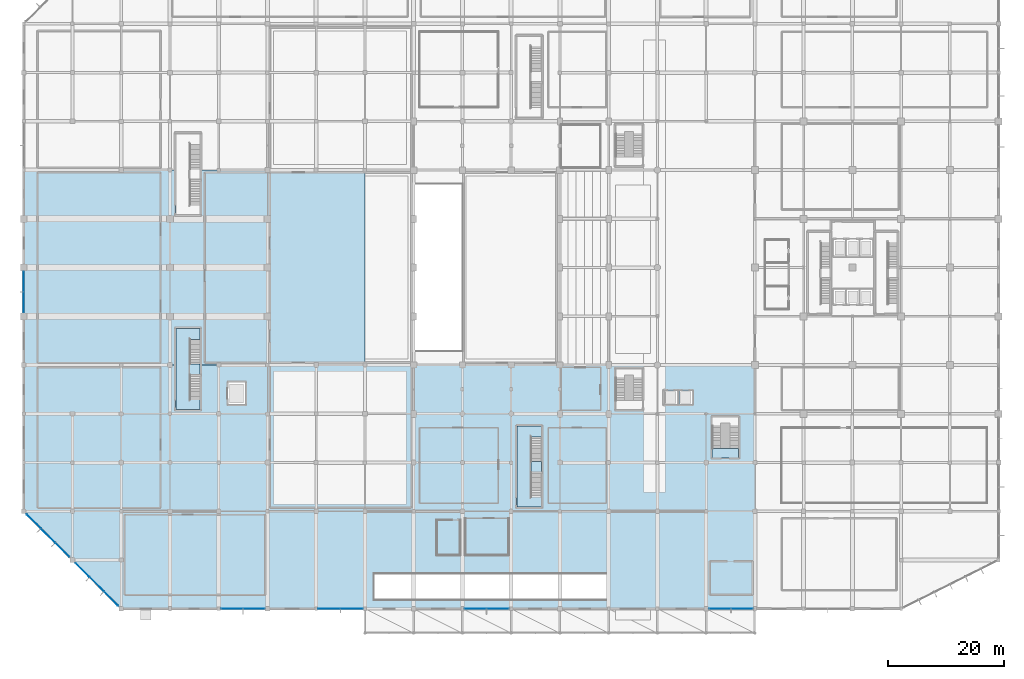
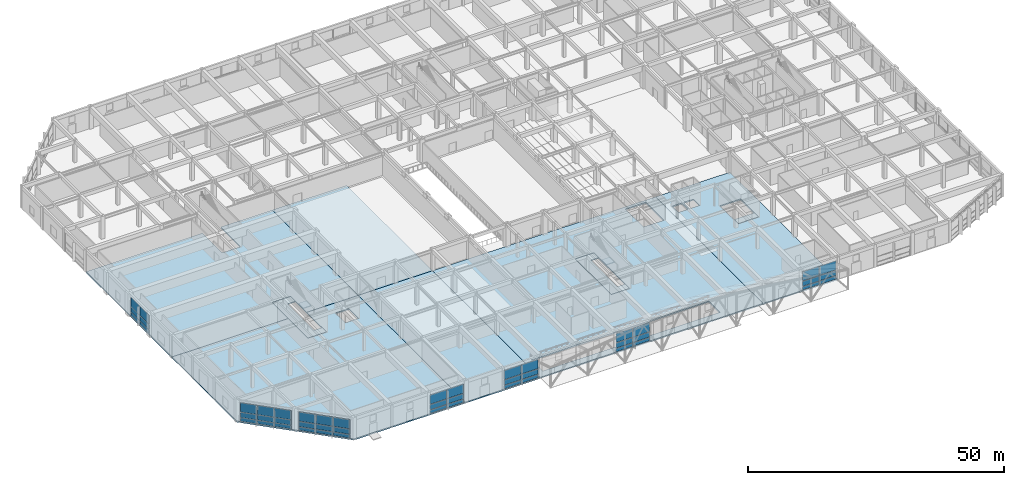
# One storey, part 37 of 62: 48 plates, 11 slabs, 10 elements without a shape of their own.
"""IFC4 building model written with IfcOpenShell, lengths in metres."""

from ifc_helpers import new_model, si_unit, direction, frame, origin, origin_2d, place, context, subcontext, project, spatial, polyline, rectangle, outline, extrude, material, layer, layer_set, type_object, element, aggregate, save


model = new_model("IFC4")

# Units and contexts
model_context = context("Model", 3, precision=1e-05, world=origin(), true_north=direction((0.0, 1.0)))
body_context = subcontext(model_context, "Body", "Model", "MODEL_VIEW")
ifc_project = project(units=[si_unit("LENGTHUNIT", "METRE"), si_unit("AREAUNIT", "SQUARE_METRE"), si_unit("VOLUMEUNIT", "CUBIC_METRE"), si_unit("PLANEANGLEUNIT", "RADIAN"), si_unit("MASSUNIT", "GRAM", prefix="KILO")], contexts=[model_context])

# Site, building, storey
site_placement = place(None, origin())
site = spatial("IfcSite", under=ifc_project, at=site_placement, CompositionType="ELEMENT")
building_placement = place(site_placement, origin())
building = spatial("IfcBuilding", under=site, at=building_placement, Name="Xuanlan Plaza Opera House", CompositionType="ELEMENT")
storey_placement = place(building_placement, origin())
storey = spatial("IfcBuildingStorey", under=building, at=storey_placement, Name="L00", CompositionType="ELEMENT", Elevation=0.0)

# Curtain wall, plates
ifc_material_1 = material(Name="Anodised Aluminium 6063-T6 and Low-E Glass", Category="aluminium")
curtain_wall_type_1 = type_object("IfcCurtainWallType", Name="ENV-CW-CW-01", PredefinedType="USERDEFINED", material=ifc_material_1)
curtain_wall_1_placement = place(storey_placement, origin())
curtain_wall_1 = element("IfcCurtainWall", 1, at=curtain_wall_1_placement, inside=storey, type_object=curtain_wall_type_1, Name="Unitised Curtain Wall L00-003", ObjectType="UNITISED CURTAIN WALL", PredefinedType="USERDEFINED")
ifc_material_2 = material(Name="Laminated Acoustic Double Glazing", Category="glass")
ifc_layer_1 = layer(ifc_material_2, 0.028076171875)
ifc_layer_set_1 = layer_set([ifc_layer_1], Name="Laminated Acoustic Double Glazing")
plate_type_1 = type_object("IfcPlateType", Name="ENV-CWP-01", PredefinedType="CURTAIN_PANEL", material=ifc_layer_set_1)
plate_1_placement = place(storey_placement, frame((35.857421875, 0.0, 0.074951171875), z_axis=(0.0, 0.0, 1.0), x_axis=(1.0, 0.0, 0.0)))
plate_1 = element("IfcPlate", 2, at=plate_1_placement, type_object=plate_type_1, Name="CW-01 panel 1.1", PredefinedType="CURTAIN_PANEL", context=body_context, shape_type="SweptSolid", body=[
    extrude(rectangle(XDim=3.695068359375, YDim=0.028076171875, at=origin_2d()), origin(), (0.0, 0.0, 1.0), 0.83740234375),
])
plate_2_placement = place(storey_placement, frame((35.857421875, 0.0, 0.987548828125), z_axis=(0.0, 0.0, 1.0), x_axis=(1.0, 0.0, 0.0)))
plate_2 = element("IfcPlate", 3, at=plate_2_placement, type_object=plate_type_1, Name="CW-01 panel 1.2", PredefinedType="CURTAIN_PANEL", context=body_context, shape_type="SweptSolid", body=[
    extrude(rectangle(XDim=3.695068359375, YDim=0.028076171875, at=origin_2d()), origin(), (0.0, 0.0, 1.0), 1.22509765625),
])
plate_3_placement = place(storey_placement, frame((35.857421875, 0.0, 2.28759765625), z_axis=(0.0, 0.0, 1.0), x_axis=(1.0, 0.0, 0.0)))
plate_3 = element("IfcPlate", 4, at=plate_3_placement, type_object=plate_type_1, Name="CW-01 panel 1.3", PredefinedType="CURTAIN_PANEL", context=body_context, shape_type="SweptSolid", body=[
    extrude(rectangle(XDim=3.695068359375, YDim=0.028076171875, at=origin_2d()), origin(), (0.0, 0.0, 1.0), 2.217529296875),
])
plate_4_placement = place(storey_placement, frame((39.642578125, 0.0, 0.074951171875), z_axis=(0.0, 0.0, 1.0), x_axis=(1.0, 0.0, 0.0)))
plate_4 = element("IfcPlate", 5, at=plate_4_placement, type_object=plate_type_1, Name="CW-01 panel 2.1", PredefinedType="CURTAIN_PANEL", context=body_context, shape_type="SweptSolid", body=[
    extrude(rectangle(XDim=3.695068359375, YDim=0.028076171875, at=origin_2d()), origin(), (0.0, 0.0, 1.0), 0.83740234375),
])
plate_5_placement = place(storey_placement, frame((39.642578125, 0.0, 0.987548828125), z_axis=(0.0, 0.0, 1.0), x_axis=(1.0, 0.0, 0.0)))
plate_5 = element("IfcPlate", 6, at=plate_5_placement, type_object=plate_type_1, Name="CW-01 panel 2.2", PredefinedType="CURTAIN_PANEL", context=body_context, shape_type="SweptSolid", body=[
    extrude(rectangle(XDim=3.695068359375, YDim=0.028076171875, at=origin_2d()), origin(), (0.0, 0.0, 1.0), 1.22509765625),
])
plate_6_placement = place(storey_placement, frame((39.642578125, 0.0, 2.28759765625), z_axis=(0.0, 0.0, 1.0), x_axis=(1.0, 0.0, 0.0)))
plate_6 = element("IfcPlate", 7, at=plate_6_placement, type_object=plate_type_1, Name="CW-01 panel 2.3", PredefinedType="CURTAIN_PANEL", context=body_context, shape_type="SweptSolid", body=[
    extrude(rectangle(XDim=3.695068359375, YDim=0.028076171875, at=origin_2d()), origin(), (0.0, 0.0, 1.0), 2.217529296875),
])
aggregate(curtain_wall_1, [plate_1, plate_2, plate_3, plate_4, plate_5, plate_6])

curtain_wall_type_2 = type_object("IfcCurtainWallType", Name="ENV-CW-CW-05", PredefinedType="USERDEFINED", material=ifc_material_1)
curtain_wall_2_placement = place(storey_placement, origin())
curtain_wall_2 = element("IfcCurtainWall", 8, at=curtain_wall_2_placement, inside=storey, type_object=curtain_wall_type_2, Name="Acoustic Glazed Wall L00-008", ObjectType="ACOUSTIC GLAZED WALL", PredefinedType="USERDEFINED")
plate_7_placement = place(storey_placement, frame((77.844970703125, 0.0, 0.074951171875), z_axis=(0.0, 0.0, 1.0), x_axis=(1.0, 0.0, 0.0)))
plate_7 = element("IfcPlate", 9, at=plate_7_placement, type_object=plate_type_1, Name="CW-05 panel 1.1", PredefinedType="CURTAIN_PANEL", context=body_context, shape_type="SweptSolid", body=[
    extrude(rectangle(XDim=3.77001953125, YDim=0.028076171875, at=origin_2d()), origin(), (0.0, 0.0, 1.0), 0.83740234375),
])
plate_8_placement = place(storey_placement, frame((77.844970703125, 0.0, 0.987548828125), z_axis=(0.0, 0.0, 1.0), x_axis=(1.0, 0.0, 0.0)))
plate_8 = element("IfcPlate", 10, at=plate_8_placement, type_object=plate_type_1, Name="CW-05 panel 1.2", PredefinedType="CURTAIN_PANEL", context=body_context, shape_type="SweptSolid", body=[
    extrude(rectangle(XDim=3.77001953125, YDim=0.028076171875, at=origin_2d()), origin(), (0.0, 0.0, 1.0), 1.22509765625),
])
plate_9_placement = place(storey_placement, frame((77.844970703125, 0.0, 2.28759765625), z_axis=(0.0, 0.0, 1.0), x_axis=(1.0, 0.0, 0.0)))
plate_9 = element("IfcPlate", 11, at=plate_9_placement, type_object=plate_type_1, Name="CW-05 panel 1.3", PredefinedType="CURTAIN_PANEL", context=body_context, shape_type="SweptSolid", body=[
    extrude(rectangle(XDim=3.77001953125, YDim=0.028076171875, at=origin_2d()), origin(), (0.0, 0.0, 1.0), 2.217529296875),
])
plate_10_placement = place(storey_placement, frame((81.705078125, 0.0, 0.074951171875), z_axis=(0.0, 0.0, 1.0), x_axis=(1.0, 0.0, 0.0)))
plate_10 = element("IfcPlate", 12, at=plate_10_placement, type_object=plate_type_1, Name="CW-05 panel 2.1", PredefinedType="CURTAIN_PANEL", context=body_context, shape_type="SweptSolid", body=[
    extrude(rectangle(XDim=3.77001953125, YDim=0.028076171875, at=origin_2d()), origin(), (0.0, 0.0, 1.0), 0.83740234375),
])
plate_11_placement = place(storey_placement, frame((81.705078125, 0.0, 0.987548828125), z_axis=(0.0, 0.0, 1.0), x_axis=(1.0, 0.0, 0.0)))
plate_11 = element("IfcPlate", 13, at=plate_11_placement, type_object=plate_type_1, Name="CW-05 panel 2.2", PredefinedType="CURTAIN_PANEL", context=body_context, shape_type="SweptSolid", body=[
    extrude(rectangle(XDim=3.77001953125, YDim=0.028076171875, at=origin_2d()), origin(), (0.0, 0.0, 1.0), 1.22509765625),
])
plate_12_placement = place(storey_placement, frame((81.705078125, 0.0, 2.28759765625), z_axis=(0.0, 0.0, 1.0), x_axis=(1.0, 0.0, 0.0)))
plate_12 = element("IfcPlate", 14, at=plate_12_placement, type_object=plate_type_1, Name="CW-05 panel 2.3", PredefinedType="CURTAIN_PANEL", context=body_context, shape_type="SweptSolid", body=[
    extrude(rectangle(XDim=3.77001953125, YDim=0.028076171875, at=origin_2d()), origin(), (0.0, 0.0, 1.0), 2.217529296875),
])
aggregate(curtain_wall_2, [plate_7, plate_8, plate_9, plate_10, plate_11, plate_12])

curtain_wall_type_3 = type_object("IfcCurtainWallType", Name="ENV-CW-CW-06", PredefinedType="USERDEFINED", material=ifc_material_1)
curtain_wall_3_placement = place(storey_placement, origin())
curtain_wall_3 = element("IfcCurtainWall", 15, at=curtain_wall_3_placement, inside=storey, type_object=curtain_wall_type_3, Name="Acoustic Glazed Wall L00-013", ObjectType="ACOUSTIC GLAZED WALL", PredefinedType="USERDEFINED")
plate_13_placement = place(storey_placement, frame((119.969970703125, 0.0, 0.074951171875), z_axis=(0.0, 0.0, 1.0), x_axis=(1.0, 0.0, 0.0)))
plate_13 = element("IfcPlate", 16, at=plate_13_placement, type_object=plate_type_1, Name="CW-06 panel 1.1", PredefinedType="CURTAIN_PANEL", context=body_context, shape_type="SweptSolid", body=[
    extrude(rectangle(XDim=3.719970703125, YDim=0.028076171875, at=origin_2d()), origin(), (0.0, 0.0, 1.0), 0.83740234375),
])
plate_14_placement = place(storey_placement, frame((119.969970703125, 0.0, 0.987548828125), z_axis=(0.0, 0.0, 1.0), x_axis=(1.0, 0.0, 0.0)))
plate_14 = element("IfcPlate", 17, at=plate_14_placement, type_object=plate_type_1, Name="CW-06 panel 1.2", PredefinedType="CURTAIN_PANEL", context=body_context, shape_type="SweptSolid", body=[
    extrude(rectangle(XDim=3.719970703125, YDim=0.028076171875, at=origin_2d()), origin(), (0.0, 0.0, 1.0), 1.22509765625),
])
plate_15_placement = place(storey_placement, frame((119.969970703125, 0.0, 2.28759765625), z_axis=(0.0, 0.0, 1.0), x_axis=(1.0, 0.0, 0.0)))
plate_15 = element("IfcPlate", 18, at=plate_15_placement, type_object=plate_type_1, Name="CW-06 panel 1.3", PredefinedType="CURTAIN_PANEL", context=body_context, shape_type="SweptSolid", body=[
    extrude(rectangle(XDim=3.719970703125, YDim=0.028076171875, at=origin_2d()), origin(), (0.0, 0.0, 1.0), 2.217529296875),
])
plate_16_placement = place(storey_placement, frame((123.780029296875, 0.0, 0.074951171875), z_axis=(0.0, 0.0, 1.0), x_axis=(1.0, 0.0, 0.0)))
plate_16 = element("IfcPlate", 19, at=plate_16_placement, type_object=plate_type_1, Name="CW-06 panel 2.1", PredefinedType="CURTAIN_PANEL", context=body_context, shape_type="SweptSolid", body=[
    extrude(rectangle(XDim=3.719970703125, YDim=0.028076171875, at=origin_2d()), origin(), (0.0, 0.0, 1.0), 0.83740234375),
])
plate_17_placement = place(storey_placement, frame((123.780029296875, 0.0, 0.987548828125), z_axis=(0.0, 0.0, 1.0), x_axis=(1.0, 0.0, 0.0)))
plate_17 = element("IfcPlate", 20, at=plate_17_placement, type_object=plate_type_1, Name="CW-06 panel 2.2", PredefinedType="CURTAIN_PANEL", context=body_context, shape_type="SweptSolid", body=[
    extrude(rectangle(XDim=3.719970703125, YDim=0.028076171875, at=origin_2d()), origin(), (0.0, 0.0, 1.0), 1.22509765625),
])
plate_18_placement = place(storey_placement, frame((123.780029296875, 0.0, 2.28759765625), z_axis=(0.0, 0.0, 1.0), x_axis=(1.0, 0.0, 0.0)))
plate_18 = element("IfcPlate", 21, at=plate_18_placement, type_object=plate_type_1, Name="CW-06 panel 2.3", PredefinedType="CURTAIN_PANEL", context=body_context, shape_type="SweptSolid", body=[
    extrude(rectangle(XDim=3.719970703125, YDim=0.028076171875, at=origin_2d()), origin(), (0.0, 0.0, 1.0), 2.217529296875),
])
aggregate(curtain_wall_3, [plate_13, plate_14, plate_15, plate_16, plate_17, plate_18])

curtain_wall_type_4 = type_object("IfcCurtainWallType", Name="ENV-CW-CW-03", PredefinedType="USERDEFINED", material=ifc_material_1)
curtain_wall_4_placement = place(storey_placement, origin())
curtain_wall_4 = element("IfcCurtainWall", 22, at=curtain_wall_4_placement, inside=storey, type_object=curtain_wall_type_4, Name="Unitised Curtain Wall L00-005", ObjectType="UNITISED CURTAIN WALL", PredefinedType="USERDEFINED")
ifc_layer_2 = layer(ifc_material_2, 0.031982421875)
ifc_layer_set_2 = layer_set([ifc_layer_2], Name="Laminated Acoustic Double Glazing")
plate_type_2 = type_object("IfcPlateType", Name="ENV-CWP-02", PredefinedType="CURTAIN_PANEL", material=ifc_layer_set_2)
plate_19_placement = place(storey_placement, frame((52.621337890625, 0.0, 0.06982421875), z_axis=(0.0, 0.0, 1.0), x_axis=(1.0, 0.0, 0.0)))
plate_19 = element("IfcPlate", 23, at=plate_19_placement, type_object=plate_type_2, Name="CW-03 panel 1.1", PredefinedType="CURTAIN_PANEL", context=body_context, shape_type="SweptSolid", body=[
    extrude(rectangle(XDim=3.8125, YDim=0.031982421875, at=origin_2d()), origin(), (0.0, 0.0, 1.0), 0.844970703125),
])
plate_20_placement = place(storey_placement, frame((52.621337890625, 0.0, 0.985107421875), z_axis=(0.0, 0.0, 1.0), x_axis=(1.0, 0.0, 0.0)))
plate_20 = element("IfcPlate", 24, at=plate_20_placement, type_object=plate_type_2, Name="CW-03 panel 1.2", PredefinedType="CURTAIN_PANEL", context=body_context, shape_type="SweptSolid", body=[
    extrude(rectangle(XDim=3.8125, YDim=0.031982421875, at=origin_2d()), origin(), (0.0, 0.0, 1.0), 1.22998046875),
])
plate_21_placement = place(storey_placement, frame((52.621337890625, 0.0, 2.284912109375), z_axis=(0.0, 0.0, 1.0), x_axis=(1.0, 0.0, 0.0)))
plate_21 = element("IfcPlate", 25, at=plate_21_placement, type_object=plate_type_2, Name="CW-03 panel 1.3", PredefinedType="CURTAIN_PANEL", context=body_context, shape_type="SweptSolid", body=[
    extrude(rectangle(XDim=3.8125, YDim=0.031982421875, at=origin_2d()), origin(), (0.0, 0.0, 1.0), 2.22509765625),
])
plate_22_placement = place(storey_placement, frame((56.503662109375, 0.0, 0.06982421875), z_axis=(0.0, 0.0, 1.0), x_axis=(1.0, 0.0, 0.0)))
plate_22 = element("IfcPlate", 26, at=plate_22_placement, type_object=plate_type_2, Name="CW-03 panel 2.1", PredefinedType="CURTAIN_PANEL", context=body_context, shape_type="SweptSolid", body=[
    extrude(rectangle(XDim=3.8125, YDim=0.031982421875, at=origin_2d()), origin(), (0.0, 0.0, 1.0), 0.844970703125),
])
plate_23_placement = place(storey_placement, frame((56.503662109375, 0.0, 0.985107421875), z_axis=(0.0, 0.0, 1.0), x_axis=(1.0, 0.0, 0.0)))
plate_23 = element("IfcPlate", 27, at=plate_23_placement, type_object=plate_type_2, Name="CW-03 panel 2.2", PredefinedType="CURTAIN_PANEL", context=body_context, shape_type="SweptSolid", body=[
    extrude(rectangle(XDim=3.8125, YDim=0.031982421875, at=origin_2d()), origin(), (0.0, 0.0, 1.0), 1.22998046875),
])
plate_24_placement = place(storey_placement, frame((56.503662109375, 0.0, 2.284912109375), z_axis=(0.0, 0.0, 1.0), x_axis=(1.0, 0.0, 0.0)))
plate_24 = element("IfcPlate", 28, at=plate_24_placement, type_object=plate_type_2, Name="CW-03 panel 2.3", PredefinedType="CURTAIN_PANEL", context=body_context, shape_type="SweptSolid", body=[
    extrude(rectangle(XDim=3.8125, YDim=0.031982421875, at=origin_2d()), origin(), (0.0, 0.0, 1.0), 2.22509765625),
])
aggregate(curtain_wall_4, [plate_19, plate_20, plate_21, plate_22, plate_23, plate_24])

curtain_wall_type_5 = type_object("IfcCurtainWallType", Name="ENV-CW-CW-02", PredefinedType="USERDEFINED", material=ifc_material_1)
curtain_wall_5_placement = place(storey_placement, origin())
curtain_wall_5 = element("IfcCurtainWall", 29, at=curtain_wall_5_placement, inside=storey, type_object=curtain_wall_type_5, Name="Unitised Curtain Wall L00-060", ObjectType="UNITISED CURTAIN WALL", PredefinedType="USERDEFINED")
plate_25_placement = place(storey_placement, frame((10.14501953125, 6.655029296875, 0.06982421875), z_axis=(0.0, 0.0, 1.0), x_axis=(0.707106781187, -0.707106781187, 0.0)))
plate_25 = element("IfcPlate", 30, at=plate_25_placement, type_object=plate_type_2, Name="CW-02 panel 1.1", PredefinedType="CURTAIN_PANEL", context=body_context, shape_type="SweptSolid", body=[
    extrude(rectangle(XDim=3.38427734375, YDim=0.031982421875, at=origin_2d()), origin(), (0.0, 0.0, 1.0), 0.844970703125),
])
plate_26_placement = place(storey_placement, frame((10.14501953125, 6.655029296875, 0.985107421875), z_axis=(0.0, 0.0, 1.0), x_axis=(0.707106781187, -0.707106781187, 0.0)))
plate_26 = element("IfcPlate", 31, at=plate_26_placement, type_object=plate_type_2, Name="CW-02 panel 1.2", PredefinedType="CURTAIN_PANEL", context=body_context, shape_type="SweptSolid", body=[
    extrude(rectangle(XDim=3.38427734375, YDim=0.031982421875, at=origin_2d()), origin(), (0.0, 0.0, 1.0), 1.22998046875),
])
plate_27_placement = place(storey_placement, frame((10.14501953125, 6.655029296875, 2.284912109375), z_axis=(0.0, 0.0, 1.0), x_axis=(0.707106781187, -0.707106781187, 0.0)))
plate_27 = element("IfcPlate", 32, at=plate_27_placement, type_object=plate_type_2, Name="CW-02 panel 1.3", PredefinedType="CURTAIN_PANEL", context=body_context, shape_type="SweptSolid", body=[
    extrude(rectangle(XDim=3.38427734375, YDim=0.031982421875, at=origin_2d()), origin(), (0.0, 0.0, 1.0), 2.22509765625),
])
plate_28_placement = place(storey_placement, frame((12.60009765625, 4.199951171875, 0.06982421875), z_axis=(0.0, 0.0, 1.0), x_axis=(0.707106781187, -0.707106781187, 0.0)))
plate_28 = element("IfcPlate", 33, at=plate_28_placement, type_object=plate_type_2, Name="CW-02 panel 2.1", PredefinedType="CURTAIN_PANEL", context=body_context, shape_type="SweptSolid", body=[
    extrude(rectangle(XDim=3.41943359375, YDim=0.031982421875, at=origin_2d()), origin(), (0.0, 0.0, 1.0), 0.844970703125),
])
plate_29_placement = place(storey_placement, frame((12.60009765625, 4.199951171875, 0.985107421875), z_axis=(0.0, 0.0, 1.0), x_axis=(0.707106781187, -0.707106781187, 0.0)))
plate_29 = element("IfcPlate", 34, at=plate_29_placement, type_object=plate_type_2, Name="CW-02 panel 2.2", PredefinedType="CURTAIN_PANEL", context=body_context, shape_type="SweptSolid", body=[
    extrude(rectangle(XDim=3.41943359375, YDim=0.031982421875, at=origin_2d()), origin(), (0.0, 0.0, 1.0), 1.22998046875),
])
plate_30_placement = place(storey_placement, frame((12.60009765625, 4.199951171875, 2.284912109375), z_axis=(0.0, 0.0, 1.0), x_axis=(0.707106781187, -0.707106781187, 0.0)))
plate_30 = element("IfcPlate", 35, at=plate_30_placement, type_object=plate_type_2, Name="CW-02 panel 2.3", PredefinedType="CURTAIN_PANEL", context=body_context, shape_type="SweptSolid", body=[
    extrude(rectangle(XDim=3.41943359375, YDim=0.031982421875, at=origin_2d()), origin(), (0.0, 0.0, 1.0), 2.22509765625),
])
plate_31_placement = place(storey_placement, frame((15.054931640625, 1.7451171875, 0.06982421875), z_axis=(0.0, 0.0, 1.0), x_axis=(0.707106781187, -0.707106781187, 0.0)))
plate_31 = element("IfcPlate", 36, at=plate_31_placement, type_object=plate_type_2, Name="CW-02 panel 3.1", PredefinedType="CURTAIN_PANEL", context=body_context, shape_type="SweptSolid", body=[
    extrude(rectangle(XDim=3.38427734375, YDim=0.031982421875, at=origin_2d()), origin(), (0.0, 0.0, 1.0), 0.844970703125),
])
plate_32_placement = place(storey_placement, frame((15.054931640625, 1.7451171875, 0.985107421875), z_axis=(0.0, 0.0, 1.0), x_axis=(0.707106781187, -0.707106781187, 0.0)))
plate_32 = element("IfcPlate", 37, at=plate_32_placement, type_object=plate_type_2, Name="CW-02 panel 3.2", PredefinedType="CURTAIN_PANEL", context=body_context, shape_type="SweptSolid", body=[
    extrude(rectangle(XDim=3.38427734375, YDim=0.031982421875, at=origin_2d()), origin(), (0.0, 0.0, 1.0), 1.22998046875),
])
plate_33_placement = place(storey_placement, frame((15.054931640625, 1.7451171875, 2.284912109375), z_axis=(0.0, 0.0, 1.0), x_axis=(0.707106781187, -0.707106781187, 0.0)))
plate_33 = element("IfcPlate", 38, at=plate_33_placement, type_object=plate_type_2, Name="CW-02 panel 3.3", PredefinedType="CURTAIN_PANEL", context=body_context, shape_type="SweptSolid", body=[
    extrude(rectangle(XDim=3.38427734375, YDim=0.031982421875, at=origin_2d()), origin(), (0.0, 0.0, 1.0), 2.22509765625),
])
aggregate(curtain_wall_5, [plate_25, plate_26, plate_27, plate_28, plate_29, plate_30, plate_31, plate_32, plate_33])

curtain_wall_type_6 = type_object("IfcCurtainWallType", Name="ENV-CW-CW-04", PredefinedType="USERDEFINED", material=ifc_material_1)
curtain_wall_6_placement = place(storey_placement, origin())
curtain_wall_6 = element("IfcCurtainWall", 39, at=curtain_wall_6_placement, inside=storey, type_object=curtain_wall_type_6, Name="Unitised Curtain Wall L00-054", ObjectType="UNITISED CURTAIN WALL", PredefinedType="USERDEFINED")
ifc_layer_3 = layer(ifc_material_2, 0.0400390625)
ifc_layer_set_3 = layer_set([ifc_layer_3], Name="Laminated Acoustic Double Glazing")
plate_type_3 = type_object("IfcPlateType", Name="ENV-CWP-04", PredefinedType="CURTAIN_PANEL", material=ifc_layer_set_3)
plate_34_placement = place(storey_placement, frame((0.0, 56.373779296875, 0.090087890625), z_axis=(0.0, 0.0, 1.0), x_axis=(0.0, -1.0, 0.0)))
plate_34 = element("IfcPlate", 40, at=plate_34_placement, type_object=plate_type_3, Name="CW-04 panel 1.1", PredefinedType="CURTAIN_PANEL", context=body_context, shape_type="SweptSolid", body=[
    extrude(rectangle(XDim=3.482421875, YDim=0.0400390625, at=origin_2d()), origin(), (0.0, 0.0, 1.0), 0.81494140625),
])
plate_35_placement = place(storey_placement, frame((0.0, 56.373779296875, 0.9951171875), z_axis=(0.0, 0.0, 1.0), x_axis=(0.0, -1.0, 0.0)))
plate_35 = element("IfcPlate", 41, at=plate_35_placement, type_object=plate_type_3, Name="CW-04 panel 1.2", PredefinedType="CURTAIN_PANEL", context=body_context, shape_type="SweptSolid", body=[
    extrude(rectangle(XDim=3.482421875, YDim=0.0400390625, at=origin_2d()), origin(), (0.0, 0.0, 1.0), 1.2099609375),
])
plate_36_placement = place(storey_placement, frame((0.0, 56.373779296875, 2.294921875), z_axis=(0.0, 0.0, 1.0), x_axis=(0.0, -1.0, 0.0)))
plate_36 = element("IfcPlate", 42, at=plate_36_placement, type_object=plate_type_3, Name="CW-04 panel 1.3", PredefinedType="CURTAIN_PANEL", context=body_context, shape_type="SweptSolid", body=[
    extrude(rectangle(XDim=3.482421875, YDim=0.0400390625, at=origin_2d()), origin(), (0.0, 0.0, 1.0), 2.195068359375),
])
plate_37_placement = place(storey_placement, frame((0.0, 52.826171875, 0.090087890625), z_axis=(0.0, 0.0, 1.0), x_axis=(0.0, -1.0, 0.0)))
plate_37 = element("IfcPlate", 43, at=plate_37_placement, type_object=plate_type_3, Name="CW-04 panel 2.1", PredefinedType="CURTAIN_PANEL", context=body_context, shape_type="SweptSolid", body=[
    extrude(rectangle(XDim=3.482421875, YDim=0.0400390625, at=origin_2d()), origin(), (0.0, 0.0, 1.0), 0.81494140625),
])
plate_38_placement = place(storey_placement, frame((0.0, 52.826171875, 0.9951171875), z_axis=(0.0, 0.0, 1.0), x_axis=(0.0, -1.0, 0.0)))
plate_38 = element("IfcPlate", 44, at=plate_38_placement, type_object=plate_type_3, Name="CW-04 panel 2.2", PredefinedType="CURTAIN_PANEL", context=body_context, shape_type="SweptSolid", body=[
    extrude(rectangle(XDim=3.482421875, YDim=0.0400390625, at=origin_2d()), origin(), (0.0, 0.0, 1.0), 1.2099609375),
])
plate_39_placement = place(storey_placement, frame((0.0, 52.826171875, 2.294921875), z_axis=(0.0, 0.0, 1.0), x_axis=(0.0, -1.0, 0.0)))
plate_39 = element("IfcPlate", 45, at=plate_39_placement, type_object=plate_type_3, Name="CW-04 panel 2.3", PredefinedType="CURTAIN_PANEL", context=body_context, shape_type="SweptSolid", body=[
    extrude(rectangle(XDim=3.482421875, YDim=0.0400390625, at=origin_2d()), origin(), (0.0, 0.0, 1.0), 2.195068359375),
])
aggregate(curtain_wall_6, [plate_34, plate_35, plate_36, plate_37, plate_38, plate_39])

curtain_wall_7_placement = place(storey_placement, origin())
curtain_wall_7 = element("IfcCurtainWall", 46, at=curtain_wall_7_placement, inside=storey, type_object=curtain_wall_type_1, Name="Unitised Curtain Wall L00-059", ObjectType="UNITISED CURTAIN WALL", PredefinedType="USERDEFINED")
plate_40_placement = place(storey_placement, frame((1.744140625, 15.055908203125, 0.090087890625), z_axis=(0.0, 0.0, 1.0), x_axis=(0.707106781187, -0.707106781187, 0.0)))
plate_40 = element("IfcPlate", 47, at=plate_40_placement, type_object=plate_type_3, Name="CW-01 panel 1.1", PredefinedType="CURTAIN_PANEL", context=body_context, shape_type="SweptSolid", body=[
    extrude(rectangle(XDim=3.391845703125, YDim=0.0400390625, at=origin_2d()), origin(), (0.0, 0.0, 1.0), 0.81494140625),
])
plate_41_placement = place(storey_placement, frame((1.744140625, 15.055908203125, 0.9951171875), z_axis=(0.0, 0.0, 1.0), x_axis=(0.707106781187, -0.707106781187, 0.0)))
plate_41 = element("IfcPlate", 48, at=plate_41_placement, type_object=plate_type_3, Name="CW-01 panel 1.2", PredefinedType="CURTAIN_PANEL", context=body_context, shape_type="SweptSolid", body=[
    extrude(rectangle(XDim=3.391845703125, YDim=0.0400390625, at=origin_2d()), origin(), (0.0, 0.0, 1.0), 1.2099609375),
])
plate_42_placement = place(storey_placement, frame((1.744140625, 15.055908203125, 2.294921875), z_axis=(0.0, 0.0, 1.0), x_axis=(0.707106781187, -0.707106781187, 0.0)))
plate_42 = element("IfcPlate", 49, at=plate_42_placement, type_object=plate_type_3, Name="CW-01 panel 1.3", PredefinedType="CURTAIN_PANEL", context=body_context, shape_type="SweptSolid", body=[
    extrude(rectangle(XDim=3.391845703125, YDim=0.0400390625, at=origin_2d()), origin(), (0.0, 0.0, 1.0), 2.195068359375),
])
plate_43_placement = place(storey_placement, frame((4.199951171875, 12.60009765625, 0.090087890625), z_axis=(0.0, 0.0, 1.0), x_axis=(0.707106781187, -0.707106781187, 0.0)))
plate_43 = element("IfcPlate", 50, at=plate_43_placement, type_object=plate_type_3, Name="CW-01 panel 2.1", PredefinedType="CURTAIN_PANEL", context=body_context, shape_type="SweptSolid", body=[
    extrude(rectangle(XDim=3.42431640625, YDim=0.0400390625, at=origin_2d()), origin(), (0.0, 0.0, 1.0), 0.81494140625),
])
plate_44_placement = place(storey_placement, frame((4.199951171875, 12.60009765625, 0.9951171875), z_axis=(0.0, 0.0, 1.0), x_axis=(0.707106781187, -0.707106781187, 0.0)))
plate_44 = element("IfcPlate", 51, at=plate_44_placement, type_object=plate_type_3, Name="CW-01 panel 2.2", PredefinedType="CURTAIN_PANEL", context=body_context, shape_type="SweptSolid", body=[
    extrude(rectangle(XDim=3.42431640625, YDim=0.0400390625, at=origin_2d()), origin(), (0.0, 0.0, 1.0), 1.2099609375),
])
plate_45_placement = place(storey_placement, frame((4.199951171875, 12.60009765625, 2.294921875), z_axis=(0.0, 0.0, 1.0), x_axis=(0.707106781187, -0.707106781187, 0.0)))
plate_45 = element("IfcPlate", 52, at=plate_45_placement, type_object=plate_type_3, Name="CW-01 panel 2.3", PredefinedType="CURTAIN_PANEL", context=body_context, shape_type="SweptSolid", body=[
    extrude(rectangle(XDim=3.42431640625, YDim=0.0400390625, at=origin_2d()), origin(), (0.0, 0.0, 1.0), 2.195068359375),
])
plate_46_placement = place(storey_placement, frame((6.65576171875, 10.14404296875, 0.090087890625), z_axis=(0.0, 0.0, 1.0), x_axis=(0.707106781187, -0.707106781187, 0.0)))
plate_46 = element("IfcPlate", 53, at=plate_46_placement, type_object=plate_type_3, Name="CW-01 panel 3.1", PredefinedType="CURTAIN_PANEL", context=body_context, shape_type="SweptSolid", body=[
    extrude(rectangle(XDim=3.391845703125, YDim=0.0400390625, at=origin_2d()), origin(), (0.0, 0.0, 1.0), 0.81494140625),
])
plate_47_placement = place(storey_placement, frame((6.65576171875, 10.14404296875, 0.9951171875), z_axis=(0.0, 0.0, 1.0), x_axis=(0.707106781187, -0.707106781187, 0.0)))
plate_47 = element("IfcPlate", 54, at=plate_47_placement, type_object=plate_type_3, Name="CW-01 panel 3.2", PredefinedType="CURTAIN_PANEL", context=body_context, shape_type="SweptSolid", body=[
    extrude(rectangle(XDim=3.391845703125, YDim=0.0400390625, at=origin_2d()), origin(), (0.0, 0.0, 1.0), 1.2099609375),
])
plate_48_placement = place(storey_placement, frame((6.65576171875, 10.14404296875, 2.294921875), z_axis=(0.0, 0.0, 1.0), x_axis=(0.707106781187, -0.707106781187, 0.0)))
plate_48 = element("IfcPlate", 55, at=plate_48_placement, type_object=plate_type_3, Name="CW-01 panel 3.3", PredefinedType="CURTAIN_PANEL", context=body_context, shape_type="SweptSolid", body=[
    extrude(rectangle(XDim=3.391845703125, YDim=0.0400390625, at=origin_2d()), origin(), (0.0, 0.0, 1.0), 2.195068359375),
])
aggregate(curtain_wall_7, [plate_40, plate_41, plate_42, plate_43, plate_44, plate_45, plate_46, plate_47, plate_48])

# Stair, slab
ifc_material_3 = material(Name="Concrete C40", Category="concrete")
stair_type_1 = type_object("IfcStairType", Name="INT-ST-STR-F135", PredefinedType="HALF_TURN_STAIR", material=ifc_material_3)
stair_1_placement = place(storey_placement, origin())
stair_1 = element("IfcStair", 56, at=stair_1_placement, inside=storey, type_object=stair_type_1, Name="Grand Foyer Feature Stair ST-F3 L00", PredefinedType="HALF_TURN_STAIR")
ifc_layer_4 = layer(ifc_material_3, 0.18994140625)
ifc_layer_set_4 = layer_set([ifc_layer_4], Name="Concrete C40")
slab_type_1 = type_object("IfcSlabType", Name="INT-SLB-LND-19", PredefinedType="LANDING", material=ifc_layer_set_4)
slab_1_placement = place(storey_placement, frame((0.0, 0.0, -0.18994140625)))
slab_1 = element("IfcSlab", 57, at=slab_1_placement, type_object=slab_type_1, Name="ST-F3-L00 landing 2", PredefinedType="LANDING", context=body_context, shape_type="SweptSolid", body=[
    extrude(outline(polyline([(118.60009765625, 26.0), (123.199951171875, 26.0), (123.199951171875, 27.60498046875), (118.60009765625, 27.60498046875), (118.60009765625, 26.0)])), origin(), (0.0, 0.0, 1.0), 0.18994140625),
])
aggregate(stair_1, [slab_1])

# Stair, slabs
stair_type_2 = type_object("IfcStairType", Name="INT-ST-STR-P180", PredefinedType="STRAIGHT_RUN_STAIR", material=ifc_material_3)
stair_2_placement = place(storey_placement, origin())
stair_2 = element("IfcStair", 58, at=stair_2_placement, inside=storey, type_object=stair_type_2, Name="Protected Exit Stair ST-P1 L00", PredefinedType="STRAIGHT_RUN_STAIR")
ifc_layer_5 = layer(ifc_material_3, 0.199951171875)
ifc_layer_set_5 = layer_set([ifc_layer_5], Name="Concrete C40")
slab_type_2 = type_object("IfcSlabType", Name="INT-SLB-LND-20", PredefinedType="LANDING", material=ifc_layer_set_5)
slab_2_placement = place(storey_placement, frame((0.0, 0.0, 2.5)))
slab_2 = element("IfcSlab", 59, at=slab_2_placement, type_object=slab_type_2, Name="ST-P1-L00 landing 1", PredefinedType="LANDING", context=body_context, shape_type="SweptSolid", body=[
    extrude(outline(polyline([(28.60009765625, 40.25), (30.39990234375, 40.25), (30.39990234375, 42.14990234375), (28.60009765625, 42.14990234375), (28.60009765625, 40.25)])), origin(), (0.0, 0.0, 1.0), 0.199951171875),
])
slab_3_placement = place(storey_placement, frame((0.0, 0.0, -0.199951171875)))
slab_3 = element("IfcSlab", 60, at=slab_3_placement, type_object=slab_type_2, Name="ST-P1-L00 landing 2", PredefinedType="LANDING", context=body_context, shape_type="SweptSolid", body=[
    extrude(outline(polyline([(26.199951171875, 34.300048828125), (30.39990234375, 34.300048828125), (30.39990234375, 36.02490234375), (28.60009765625, 36.02490234375), (28.60009765625, 46.375), (30.39990234375, 46.375), (30.39990234375, 48.300048828125), (26.199951171875, 48.300048828125), (26.199951171875, 34.300048828125)])), origin(), (0.0, 0.0, 1.0), 0.199951171875),
])
aggregate(stair_2, [slab_2, slab_3])

stair_3_placement = place(storey_placement, origin())
stair_3 = element("IfcStair", 61, at=stair_3_placement, inside=storey, type_object=stair_type_2, Name="Protected Exit Stair ST-P3 L00", PredefinedType="STRAIGHT_RUN_STAIR")
slab_4_placement = place(storey_placement, frame((0.0, 0.0, 2.5)))
slab_4 = element("IfcSlab", 62, at=slab_4_placement, type_object=slab_type_2, Name="ST-P3-L00 landing 1", PredefinedType="LANDING", context=body_context, shape_type="SweptSolid", body=[
    extrude(outline(polyline([(87.39990234375, 23.449951171875), (89.199951171875, 23.449951171875), (89.199951171875, 25.35009765625), (87.39990234375, 25.35009765625), (87.39990234375, 23.449951171875)])), origin(), (0.0, 0.0, 1.0), 0.199951171875),
])
slab_5_placement = place(storey_placement, frame((0.0, 0.0, -0.199951171875)))
slab_5 = element("IfcSlab", 63, at=slab_5_placement, type_object=slab_type_2, Name="ST-P3-L00 landing 2", PredefinedType="LANDING", context=body_context, shape_type="SweptSolid", body=[
    extrude(outline(polyline([(85.0, 17.5), (89.199951171875, 17.5), (89.199951171875, 19.22509765625), (87.39990234375, 19.22509765625), (87.39990234375, 29.574951171875), (89.199951171875, 29.574951171875), (89.199951171875, 31.5), (85.0, 31.5), (85.0, 17.5)])), origin(), (0.0, 0.0, 1.0), 0.199951171875),
])
aggregate(stair_3, [slab_4, slab_5])

# Slabs
ifc_material_4 = material(Name="Concrete C50", Category="concrete")
ifc_layer_6 = layer(ifc_material_4, 0.300048828125)
ifc_layer_set_6 = layer_set([ifc_layer_6], Name="Concrete C50")
slab_type_3 = type_object("IfcSlabType", Name="STR-SLB-SL-01", PredefinedType="FLOOR", material=ifc_layer_set_6)
slab_6_placement = place(storey_placement, frame((0.0, 0.0, -0.300048828125)))
element("IfcSlab", 64, at=slab_6_placement, inside=storey, type_object=slab_type_3, Name="Storey L00 Structural Floor Slab Zone 01", PredefinedType="FLOOR", context=body_context, shape_type="SweptSolid", body=[
    extrude(outline(polyline([(16.800048828125, 0.0), (0.0, 16.800048828125), (0.0, 42.0), (26.199951171875, 42.0), (26.199951171875, 34.300048828125), (30.39990234375, 34.300048828125), (30.39990234375, 42.0), (42.0, 42.0), (42.0, 0.0), (16.800048828125, 0.0)]), holes=[polyline([(35.199951171875, 35.199951171875), (38.199951171875, 35.199951171875), (38.199951171875, 39.0), (35.199951171875, 39.0), (35.199951171875, 35.199951171875)])]), origin(), (0.0, 0.0, 1.0), 0.300048828125),
])
slab_7_placement = place(storey_placement, frame((0.0, 0.0, -0.300048828125)))
element("IfcSlab", 65, at=slab_7_placement, inside=storey, type_object=slab_type_3, Name="Storey L00 Structural Floor Slab Zone 02", PredefinedType="FLOOR", context=body_context, shape_type="SweptSolid", body=[
    extrude(outline(polyline([(0.0, 75.60009765625), (26.199951171875, 75.60009765625), (26.199951171875, 67.89990234375), (30.39990234375, 67.89990234375), (30.39990234375, 75.60009765625), (42.0, 75.60009765625), (42.0, 42.0), (30.39990234375, 42.0), (30.39990234375, 48.300048828125), (26.199951171875, 48.300048828125), (26.199951171875, 42.0), (0.0, 42.0), (0.0, 75.60009765625)])), origin(), (0.0, 0.0, 1.0), 0.300048828125),
])
slab_8_placement = place(storey_placement, frame((0.0, 0.0, -0.300048828125)))
element("IfcSlab", 66, at=slab_8_placement, inside=storey, type_object=slab_type_3, Name="Storey L00 Structural Floor Slab Zone 04", PredefinedType="FLOOR", context=body_context, shape_type="SweptSolid", body=[
    extrude(outline(polyline([(42.0, 0.0), (42.0, 42.0), (58.800048828125, 42.0), (58.800048828125, 0.0), (42.0, 0.0)])), origin(), (0.0, 0.0, 1.0), 0.300048828125),
])
slab_9_placement = place(storey_placement, frame((0.0, 0.0, -0.300048828125)))
element("IfcSlab", 67, at=slab_9_placement, inside=storey, type_object=slab_type_3, Name="Storey L00 Structural Floor Slab Zone 05", PredefinedType="FLOOR", context=body_context, shape_type="SweptSolid", body=[
    extrude(outline(polyline([(42.0, 42.0), (42.0, 75.60009765625), (58.800048828125, 75.60009765625), (58.800048828125, 42.0), (42.0, 42.0)])), origin(), (0.0, 0.0, 1.0), 0.300048828125),
])
slab_10_placement = place(storey_placement, frame((0.0, 0.0, -0.300048828125)))
element("IfcSlab", 68, at=slab_10_placement, inside=storey, type_object=slab_type_3, Name="Storey L00 Structural Floor Slab Zone 07", PredefinedType="FLOOR", context=body_context, shape_type="SweptSolid", body=[
    extrude(outline(polyline([(58.800048828125, 0.0), (58.800048828125, 42.0), (109.199951171875, 42.0), (109.199951171875, 0.0), (58.800048828125, 0.0)]), holes=[polyline([(89.199951171875, 17.5), (89.199951171875, 31.5), (85.0, 31.5), (85.0, 17.5), (89.199951171875, 17.5)]), polyline([(102.0, 41.3798828125), (102.0, 34.300048828125), (106.60009765625, 34.300048828125), (106.60009765625, 41.3798828125), (102.0, 41.3798828125)]), polyline([(100.39990234375, 6.0), (60.39990234375, 6.0), (60.39990234375, 1.60009765625), (100.39990234375, 1.60009765625), (100.39990234375, 6.0)])]), origin(), (0.0, 0.0, 1.0), 0.300048828125),
])
slab_11_placement = place(storey_placement, frame((0.0, 0.0, -0.300048828125)))
element("IfcSlab", 69, at=slab_11_placement, inside=storey, type_object=slab_type_3, Name="Storey L00 Structural Floor Slab Zone 10", PredefinedType="FLOOR", context=body_context, shape_type="SweptSolid", body=[
    extrude(outline(polyline([(109.199951171875, 0.0), (109.199951171875, 42.0), (126.0, 42.0), (126.0, 0.0), (109.199951171875, 0.0)]), holes=[polyline([(123.199951171875, 26.0), (123.199951171875, 33.080078125), (118.60009765625, 33.080078125), (118.60009765625, 26.0), (123.199951171875, 26.0)]), polyline([(112.60009765625, 37.60009765625), (110.39990234375, 37.60009765625), (110.39990234375, 35.199951171875), (112.60009765625, 35.199951171875), (112.60009765625, 37.60009765625)]), polyline([(115.199951171875, 35.199951171875), (115.199951171875, 37.60009765625), (113.0, 37.60009765625), (113.0, 35.199951171875), (115.199951171875, 35.199951171875)])]), origin(), (0.0, 0.0, 1.0), 0.300048828125),
])

save(model, "model.ifc")
